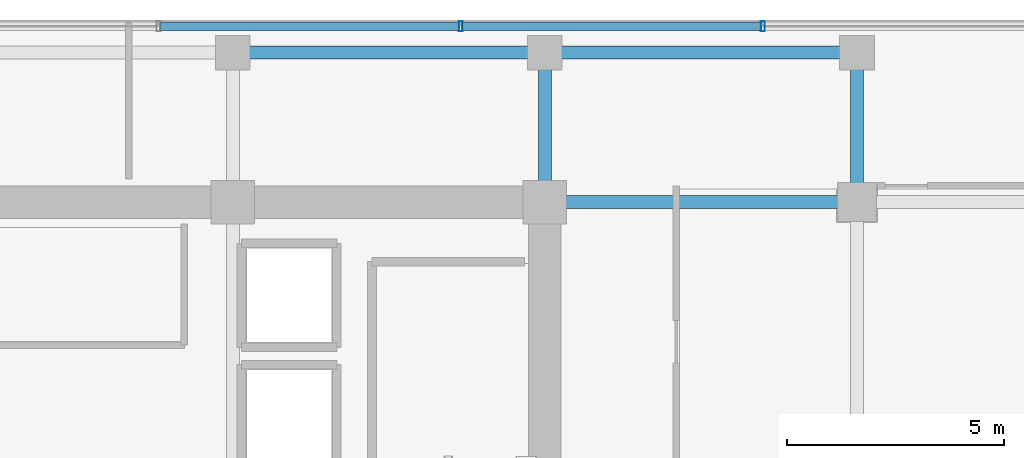
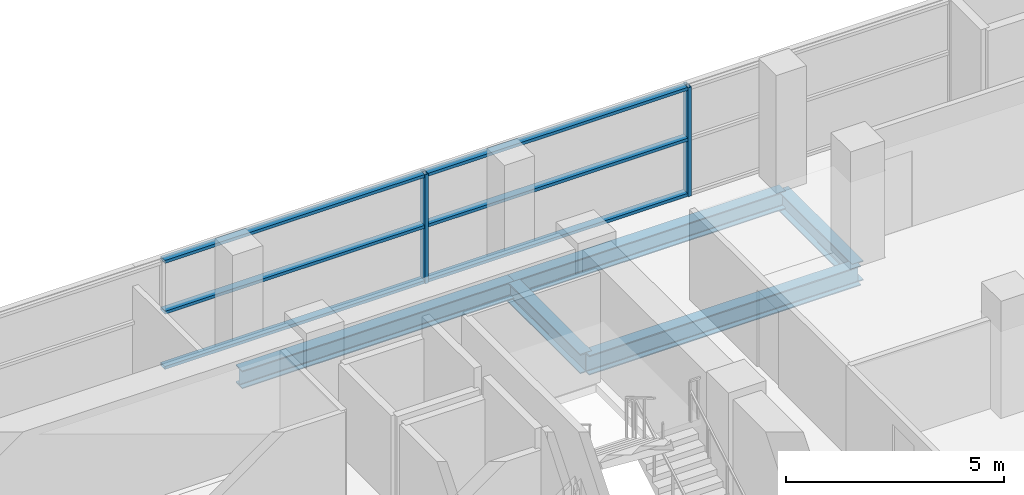
# One storey, part 12 of 23: 8 members, 5 beams, 1 element without a shape of its own.
"""IFC4 building model written with IfcOpenShell, lengths in metres."""

from ifc_helpers import new_model, si_unit, direction, frame, origin, origin_2d, place, context, subcontext, project, spatial, hollow_rectangle, i_section, extrude, source, transform, mapped, material, layer, layer_set, material_profile, profile_set, type_object, element, aggregate, save


model = new_model("IFC4")

# Units and contexts
model_context = context("Model", 3, precision=1e-05, world=origin(), true_north=direction((0.0, 1.0)))
body_context = subcontext(model_context, "Body", "Model", "MODEL_VIEW")
ifc_project = project(units=[si_unit("LENGTHUNIT", "METRE"), si_unit("AREAUNIT", "SQUARE_METRE"), si_unit("VOLUMEUNIT", "CUBIC_METRE"), si_unit("PLANEANGLEUNIT", "RADIAN"), si_unit("MASSUNIT", "GRAM", prefix="KILO")], contexts=[model_context])

# Site, building, storey
site_placement = place(None, origin())
site = spatial("IfcSite", under=ifc_project, at=site_placement, CompositionType="ELEMENT")
building_placement = place(site_placement, origin())
building = spatial("IfcBuilding", under=site, at=building_placement, Name="Zarnakvel Exchange Tower", CompositionType="ELEMENT")
storey_placement = place(building_placement, frame((0.0, 0.0, 129.699951171875)))
storey = spatial("IfcBuildingStorey", under=building, at=storey_placement, Name="L36", CompositionType="ELEMENT", Elevation=129.699951171875)

# Beams
ifc_material_1 = material(Name="Steel S355", Category="steel")
ifc_material_profile_1 = material_profile(ifc_material_1, i_section(OverallWidth=0.300048828125, OverallDepth=0.550048828125, WebThickness=0.014892578125, FlangeThickness=0.029052734375, FilletRadius=0.027099609375, at=origin_2d()))
ifc_profile_set_1 = profile_set([ifc_material_profile_1], Name="Steel S355")
beam_type_1 = type_object("IfcBeamType", Name="G-05", PredefinedType="BEAM", material=ifc_profile_set_1)
beam_1_placement = place(storey_placement, frame((14.39990234375, 13.5, -0.5), z_axis=(1.0, 0.0, 0.0), x_axis=(0.0, 1.0, 0.0)))
element("IfcBeam", 1, at=beam_1_placement, inside=storey, type_object=beam_type_1, Name="L36 Tower E-W Frame Beam", PredefinedType="BEAM", context=body_context, shape_type="SweptSolid", body=[
    extrude(i_section(OverallWidth=0.300048828125, OverallDepth=0.550048828125, WebThickness=0.014892578125, FlangeThickness=0.029052734375, FilletRadius=0.027099609375, at=origin_2d()), origin(), (0.0, 0.0, 1.0), 7.2001953125),
])
for number, where, z_axis, x_axis, name in (
    (2, (14.39990234375, 13.5, -0.5), (0.0, 1.0, 0.0), (-1.0, 0.0, 0.0), "L36 Tower N-S Frame Beam"),
    (3, (21.60009765625, 13.5, -0.5), (0.0, 1.0, 0.0), (-1.0, 0.0, 0.0), "L36 Tower N-S Frame Beam"),
):
    element("IfcBeam", number, at=place(storey_placement, frame(where, z_axis=z_axis, x_axis=x_axis)), inside=storey, type_object=beam_type_1, Name=name, PredefinedType="BEAM", context=body_context, shape_type="SweptSolid", body=[
        extrude(i_section(OverallWidth=0.300048828125, OverallDepth=0.550048828125, WebThickness=0.014892578125, FlangeThickness=0.029052734375, FilletRadius=0.027099609375, at=origin_2d()), origin(), (0.0, 0.0, 1.0), 3.449951171875),
    ])
ifc_material_profile_2 = material_profile(ifc_material_1, i_section(OverallWidth=0.300048828125, OverallDepth=0.5, WebThickness=0.014404296875, FlangeThickness=0.028076171875, FilletRadius=0.027099609375, at=origin_2d()))
ifc_profile_set_2 = profile_set([ifc_material_profile_2], Name="Steel S355")
beam_type_2 = type_object("IfcBeamType", Name="SP-02", PredefinedType="SPANDREL", material=ifc_profile_set_2)
beam_2_placement = place(storey_placement, frame((7.199951171875, 16.949951171875, -0.474853515625), z_axis=(1.0, 0.0, 0.0), x_axis=(0.0, 1.0, 0.0)))
element("IfcBeam", 4, at=beam_2_placement, inside=storey, type_object=beam_type_2, Name="L36 Tower E-W Frame Beam", PredefinedType="SPANDREL", context=body_context, shape_type="SweptSolid", body=[
    extrude(i_section(OverallWidth=0.300048828125, OverallDepth=0.5, WebThickness=0.014404296875, FlangeThickness=0.028076171875, FilletRadius=0.027099609375, at=origin_2d()), origin(), (0.0, 0.0, 1.0), 7.199951171875),
])
beam_3_placement = place(storey_placement, frame((14.39990234375, 16.949951171875, -0.474853515625), z_axis=(1.0, 0.0, 0.0), x_axis=(0.0, 1.0, 0.0)))
element("IfcBeam", 5, at=beam_3_placement, inside=storey, type_object=beam_type_2, Name="L36 Tower E-W Frame Beam", PredefinedType="SPANDREL", context=body_context, shape_type="SweptSolid", body=[
    extrude(i_section(OverallWidth=0.300048828125, OverallDepth=0.5, WebThickness=0.014404296875, FlangeThickness=0.028076171875, FilletRadius=0.027099609375, at=origin_2d()), origin(), (0.0, 0.0, 1.0), 7.2001953125),
])

# Curtain wall, members
ifc_material_2 = material(Name="Architectural Bronze Anodised Aluminium", Category="aluminium")
ifc_layer = layer(ifc_material_2, 0.239990234375)
ifc_layer_set = layer_set([ifc_layer], Name="Architectural Bronze Anodised Aluminium")
curtain_wall_type = type_object("IfcCurtainWallType", Name="CW-02", PredefinedType="NOTDEFINED", material=ifc_layer_set)
curtain_wall_placement = place(storey_placement, origin())
curtain_wall = element("IfcCurtainWall", 6, at=curtain_wall_placement, inside=storey, type_object=curtain_wall_type, Name="L36 Curtain Wall CW-L36-N1 (CW-02)", PredefinedType="NOTDEFINED")
ifc_material_profile_3 = material_profile(ifc_material_2, hollow_rectangle(XDim=0.239990234375, YDim=0.090087890625, WallThickness=0.006103515625, at=origin_2d()))
ifc_profile_set_3 = profile_set([ifc_material_profile_3], Name="Architectural Bronze Anodised Aluminium")
member_type_1 = type_object("IfcMemberType", Name="CWM-02", PredefinedType="MULLION", material=ifc_profile_set_3)
shared_shape_1 = source(origin(), body_context, "Body", "SweptSolid", [
    extrude(hollow_rectangle(XDim=0.239990234375, YDim=0.090087890625, WallThickness=0.006103515625, at=origin_2d()), origin(), (0.0, 0.0, 1.0), 3.054931640625),
])
member_1_placement = place(storey_placement, frame((12.45703125, 17.56005859375, 0.0), z_axis=(0.0, 0.0, 1.0), x_axis=(0.0, 1.0, 0.0)))
member_1 = element("IfcMember", 7, at=member_1_placement, type_object=member_type_1, Name="CW-02 mullion 6", PredefinedType="MULLION", context=body_context, shape_type="MappedRepresentation", body=[
    mapped(shared_shape_1, transform((0.0, 0.0, 0.0), x_axis=(1.0, 0.0, 0.0), y_axis=(0.0, 1.0, 0.0), z_axis=(0.0, 0.0, 1.0), scale=1.0)),
])
member_2_placement = place(storey_placement, frame((19.428466796875, 17.56005859375, 0.0), z_axis=(0.0, 0.0, 1.0), x_axis=(0.0, 1.0, 0.0)))
member_2 = element("IfcMember", 8, at=member_2_placement, type_object=member_type_1, Name="CW-02 mullion 7", PredefinedType="MULLION", context=body_context, shape_type="MappedRepresentation", body=[
    mapped(shared_shape_1, transform((0.0, 0.0, 0.0), x_axis=(1.0, 0.0, 0.0), y_axis=(0.0, 1.0, 0.0), z_axis=(0.0, 0.0, 1.0), scale=1.0)),
])
ifc_material_profile_4 = material_profile(ifc_material_2, hollow_rectangle(XDim=0.199951171875, YDim=0.0849609375, WallThickness=0.0048828125, at=origin_2d()))
ifc_profile_set_4 = profile_set([ifc_material_profile_4], Name="Architectural Bronze Anodised Aluminium")
member_type_2 = type_object("IfcMemberType", Name="CWT-02", PredefinedType="USERDEFINED", material=ifc_profile_set_4)
shared_shape_2 = source(origin(), body_context, "Body", "SweptSolid", [
    extrude(hollow_rectangle(XDim=0.199951171875, YDim=0.0849609375, WallThickness=0.0048828125, at=origin_2d()), origin(), (0.0, 0.0, 1.0), 6.88134765625),
])
member_3_placement = place(storey_placement, frame((5.53076171875, 17.56005859375, 0.04248046875), z_axis=(1.0, 0.0, 0.0), x_axis=(0.0, 1.0, 0.0)))
member_3 = element("IfcMember", 9, at=member_3_placement, type_object=member_type_2, Name="CW-02 transom 5.1", ObjectType="TRANSOM", PredefinedType="USERDEFINED", context=body_context, shape_type="MappedRepresentation", body=[
    mapped(shared_shape_2, transform((0.0, 0.0, 0.0), x_axis=(1.0, 0.0, 0.0), y_axis=(0.0, 1.0, 0.0), z_axis=(0.0, 0.0, 1.0), scale=1.0)),
])
member_4_placement = place(storey_placement, frame((5.53076171875, 17.56005859375, 1.588623046875), z_axis=(1.0, 0.0, 0.0), x_axis=(0.0, 1.0, 0.0)))
member_4 = element("IfcMember", 10, at=member_4_placement, type_object=member_type_2, Name="CW-02 transom 5.2", ObjectType="TRANSOM", PredefinedType="USERDEFINED", context=body_context, shape_type="MappedRepresentation", body=[
    mapped(shared_shape_2, transform((0.0, 0.0, 0.0), x_axis=(1.0, 0.0, 0.0), y_axis=(0.0, 1.0, 0.0), z_axis=(0.0, 0.0, 1.0), scale=1.0)),
])
member_5_placement = place(storey_placement, frame((5.53076171875, 17.56005859375, 3.012451171875), z_axis=(1.0, 0.0, 0.0), x_axis=(0.0, 1.0, 0.0)))
member_5 = element("IfcMember", 11, at=member_5_placement, type_object=member_type_2, Name="CW-02 transom 5.3", ObjectType="TRANSOM", PredefinedType="USERDEFINED", context=body_context, shape_type="MappedRepresentation", body=[
    mapped(shared_shape_2, transform((0.0, 0.0, 0.0), x_axis=(1.0, 0.0, 0.0), y_axis=(0.0, 1.0, 0.0), z_axis=(0.0, 0.0, 1.0), scale=1.0)),
])
member_6_placement = place(storey_placement, frame((12.502197265625, 17.56005859375, 0.04248046875), z_axis=(1.0, 0.0, 0.0), x_axis=(0.0, 1.0, 0.0)))
member_6 = element("IfcMember", 12, at=member_6_placement, type_object=member_type_2, Name="CW-02 transom 6.1", ObjectType="TRANSOM", PredefinedType="USERDEFINED", context=body_context, shape_type="MappedRepresentation", body=[
    mapped(shared_shape_2, transform((0.0, 0.0, 0.0), x_axis=(1.0, 0.0, 0.0), y_axis=(0.0, 1.0, 0.0), z_axis=(0.0, 0.0, 1.0), scale=1.0)),
])
member_7_placement = place(storey_placement, frame((12.502197265625, 17.56005859375, 1.588623046875), z_axis=(1.0, 0.0, 0.0), x_axis=(0.0, 1.0, 0.0)))
member_7 = element("IfcMember", 13, at=member_7_placement, type_object=member_type_2, Name="CW-02 transom 6.2", ObjectType="TRANSOM", PredefinedType="USERDEFINED", context=body_context, shape_type="MappedRepresentation", body=[
    mapped(shared_shape_2, transform((0.0, 0.0, 0.0), x_axis=(1.0, 0.0, 0.0), y_axis=(0.0, 1.0, 0.0), z_axis=(0.0, 0.0, 1.0), scale=1.0)),
])
member_8_placement = place(storey_placement, frame((12.502197265625, 17.56005859375, 3.012451171875), z_axis=(1.0, 0.0, 0.0), x_axis=(0.0, 1.0, 0.0)))
member_8 = element("IfcMember", 14, at=member_8_placement, type_object=member_type_2, Name="CW-02 transom 6.3", ObjectType="TRANSOM", PredefinedType="USERDEFINED", context=body_context, shape_type="MappedRepresentation", body=[
    mapped(shared_shape_2, transform((0.0, 0.0, 0.0), x_axis=(1.0, 0.0, 0.0), y_axis=(0.0, 1.0, 0.0), z_axis=(0.0, 0.0, 1.0), scale=1.0)),
])
aggregate(curtain_wall, [member_1, member_2, member_3, member_4, member_5, member_6, member_7, member_8])

save(model, "model.ifc")
